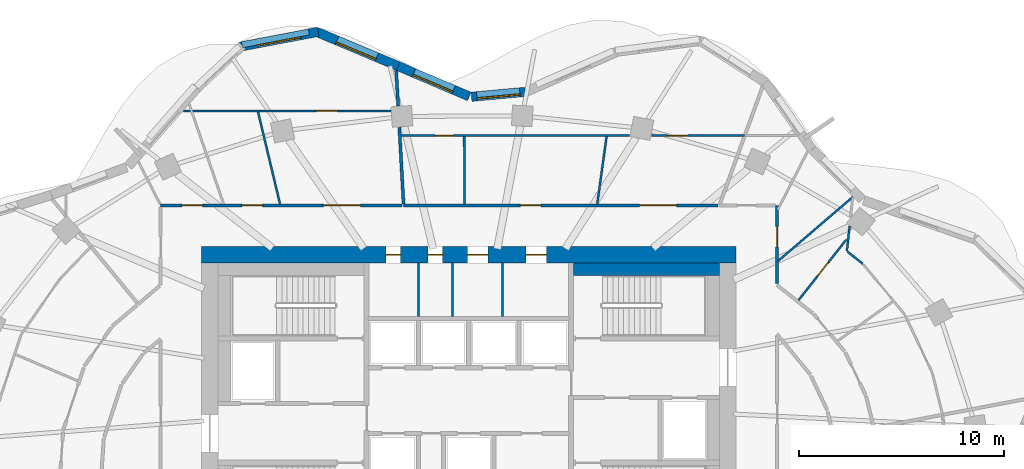
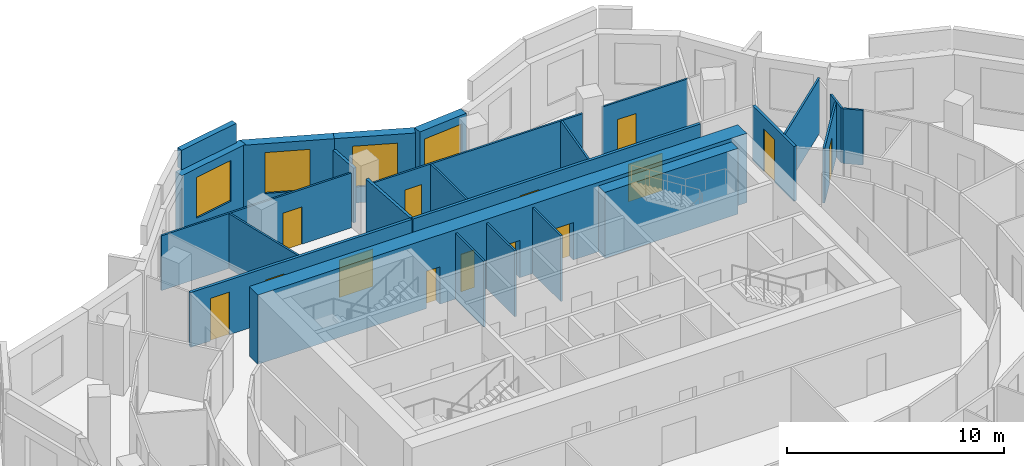
# One storey, part 9 of 11: 25 walls, 14 doors, 4 windows, 18 openings.
"""IFC4 building model written with IfcOpenShell, lengths in metres."""

from ifc_helpers import new_model, si_unit, direction, frame, frame_2d, origin, place, context, subcontext, project, spatial, rectangle, extrude, material, layer, layer_set, type_object, element, fill, save


model = new_model("IFC4")

# Units and contexts
model_context = context("Model", 3, precision=1e-05, world=origin(), true_north=direction((0.0, 1.0)))
body_context = subcontext(model_context, "Body", "Model", "MODEL_VIEW")
ifc_project = project(units=[si_unit("LENGTHUNIT", "METRE"), si_unit("AREAUNIT", "SQUARE_METRE"), si_unit("VOLUMEUNIT", "CUBIC_METRE"), si_unit("PLANEANGLEUNIT", "RADIAN"), si_unit("MASSUNIT", "GRAM", prefix="KILO")], contexts=[model_context])

# Site, building, storey
site_placement = place(None, origin())
site = spatial("IfcSite", under=ifc_project, at=site_placement, CompositionType="ELEMENT")
building_placement = place(site_placement, origin())
building = spatial("IfcBuilding", under=site, at=building_placement, Name="Rubra Terraces Tower", CompositionType="ELEMENT")
storey_placement = place(building_placement, frame((0.0, 0.0, 197.39990234375)))
storey = spatial("IfcBuildingStorey", under=building, at=storey_placement, Name="L48", CompositionType="ELEMENT", Elevation=197.39990234375)

# Wall, opening, window
ifc_material_1 = material(Name="Brick masonry red-brown", Category="masonry")
ifc_layer_1 = layer(ifc_material_1, 0.449951171875)
ifc_layer_set_1 = layer_set([ifc_layer_1], Name="Brick masonry red-brown")
wall_type_1 = type_object("IfcWallType", Name="Brick facade wall 450", PredefinedType="SOLIDWALL", material=ifc_layer_set_1)
wall_1_placement = place(storey_placement, frame((2.745361328125, 19.52490234375, 0.0), z_axis=(0.0, 0.0, 1.0), x_axis=(-0.995768774275, -0.091894222771, 0.0)))
wall_1 = element("IfcWall", 1, at=wall_1_placement, inside=storey, type_object=wall_type_1, Name="Facade wall L48 bay 10", PredefinedType="SOLIDWALL", context=body_context, shape_type="SweptSolid", body=[
    extrude(rectangle(XDim=2.624755859375, YDim=0.449951171875, at=frame_2d((1.3125, 0.0))), origin(), (0.0, 0.0, 1.0), 3.7001953125),
])
opening_1_placement = place(wall_1_placement, frame((0.262451171875, 0.0, 0.89990234375)))
opening_1 = element("IfcOpeningElement", 2, at=opening_1_placement, cuts=wall_1, Name="Opening W1B", PredefinedType="OPENING", context=body_context, shape_type="SweptSolid", body=[
    extrude(rectangle(XDim=2.10009765625, YDim=2.300048828125, at=frame_2d((1.050048828125, 1.14990234375))), frame((0.0, 0.23486328125, 0.0), z_axis=(0.0, -1.0, 0.0), x_axis=(1.0, 0.0, 0.0)), (0.0, 0.0, 1.0), 0.469970703125),
])
ifc_material_2 = material(Name="Clear glass in aluminium frame", Category="aluminium")
window_type = type_object("IfcWindowType", Name="Fixed deep-set window tall storey 2100 x 2300", PartitioningType="SINGLE_PANEL", PredefinedType="WINDOW", material=ifc_material_2)
window_1_placement = place(opening_1_placement, origin())
window_1 = element("IfcWindow", 3, at=window_1_placement, inside=storey, type_object=window_type, Name="Window L48 bay 10", OverallHeight=2.300048828125, OverallWidth=2.10009765625, PartitioningType="SINGLE_PANEL", PredefinedType="WINDOW", context=body_context, shape_type="SweptSolid", body=[
    extrude(rectangle(XDim=2.10009765625, YDim=2.300048828125, at=frame_2d((1.050048828125, 1.14990234375))), frame((0.0, 0.135009765625, 0.0), z_axis=(0.0, -1.0, 0.0), x_axis=(1.0, 0.0, 0.0)), (0.0, 0.0, 1.0), 0.06005859375),
])
fill(opening_1, window_1)

wall_2_placement = place(storey_placement, frame((0.0263671875, 19.29931640625, 0.0), z_axis=(0.0, 0.0, 1.0), x_axis=(-0.920040408927, 0.391823488245, 0.0)))
wall_2 = element("IfcWall", 4, at=wall_2_placement, inside=storey, type_object=wall_type_1, Name="Facade wall L48 bay 11", PredefinedType="SOLIDWALL", context=body_context, shape_type="SweptSolid", body=[
    extrude(rectangle(XDim=3.769775390625, YDim=0.449951171875, at=frame_2d((1.884765625, 0.0))), origin(), (0.0, 0.0, 1.0), 3.7001953125),
])
opening_2_placement = place(wall_2_placement, frame((0.8349609375, 0.0, 0.89990234375)))
opening_2 = element("IfcOpeningElement", 5, at=opening_2_placement, cuts=wall_2, Name="Opening W1B", PredefinedType="OPENING", context=body_context, shape_type="SweptSolid", body=[
    extrude(rectangle(XDim=2.10009765625, YDim=2.300048828125, at=frame_2d((1.050048828125, 1.14990234375))), frame((0.0, 0.23486328125, 0.0), z_axis=(0.0, -1.0, 0.0), x_axis=(1.0, 0.0, 0.0)), (0.0, 0.0, 1.0), 0.469970703125),
])
window_2_placement = place(opening_2_placement, origin())
window_2 = element("IfcWindow", 6, at=window_2_placement, inside=storey, type_object=window_type, Name="Window L48 bay 11", OverallHeight=2.300048828125, OverallWidth=2.10009765625, PartitioningType="SINGLE_PANEL", PredefinedType="WINDOW", context=body_context, shape_type="SweptSolid", body=[
    extrude(rectangle(XDim=2.10009765625, YDim=2.300048828125, at=frame_2d((1.050048828125, 1.14990234375))), frame((0.0, 0.135009765625, 0.0), z_axis=(0.0, -1.0, 0.0), x_axis=(1.0, 0.0, 0.0)), (0.0, 0.0, 1.0), 0.06005859375),
])
fill(opening_2, window_2)

wall_3_placement = place(storey_placement, frame((-3.44140625, 20.776123046875, 0.0), z_axis=(0.0, 0.0, 1.0), x_axis=(-0.921988121387, 0.387218160758, 0.0)))
wall_3 = element("IfcWall", 7, at=wall_3_placement, inside=storey, type_object=wall_type_1, Name="Facade wall L48 bay 12", PredefinedType="SOLIDWALL", context=body_context, shape_type="SweptSolid", body=[
    extrude(rectangle(XDim=4.3466796875, YDim=0.449951171875, at=frame_2d((2.17333984375, 0.0))), origin(), (0.0, 0.0, 1.0), 3.7001953125),
])
opening_3_placement = place(wall_3_placement, frame((1.123291015625, 0.0, 0.89990234375)))
opening_3 = element("IfcOpeningElement", 8, at=opening_3_placement, cuts=wall_3, Name="Opening W1B", PredefinedType="OPENING", context=body_context, shape_type="SweptSolid", body=[
    extrude(rectangle(XDim=2.10009765625, YDim=2.300048828125, at=frame_2d((1.050048828125, 1.14990234375))), frame((0.0, 0.23486328125, 0.0), z_axis=(0.0, -1.0, 0.0), x_axis=(1.0, 0.0, 0.0)), (0.0, 0.0, 1.0), 0.469970703125),
])
window_3_placement = place(opening_3_placement, origin())
window_3 = element("IfcWindow", 9, at=window_3_placement, inside=storey, type_object=window_type, Name="Window L48 bay 12", OverallHeight=2.300048828125, OverallWidth=2.10009765625, PartitioningType="SINGLE_PANEL", PredefinedType="WINDOW", context=body_context, shape_type="SweptSolid", body=[
    extrude(rectangle(XDim=2.10009765625, YDim=2.300048828125, at=frame_2d((1.050048828125, 1.14990234375))), frame((0.0, 0.135009765625, 0.0), z_axis=(0.0, -1.0, 0.0), x_axis=(1.0, 0.0, 0.0)), (0.0, 0.0, 1.0), 0.06005859375),
])
fill(opening_3, window_3)

wall_4_placement = place(storey_placement, frame((-7.322998046875, 22.447021484375, 0.0), z_axis=(0.0, 0.0, 1.0), x_axis=(-0.982420993638, -0.18667884524, 0.0)))
wall_4 = element("IfcWall", 10, at=wall_4_placement, inside=storey, type_object=wall_type_1, Name="Facade wall L48 bay 13", PredefinedType="SOLIDWALL", context=body_context, shape_type="SweptSolid", body=[
    extrude(rectangle(XDim=3.88427734375, YDim=0.449951171875, at=frame_2d((1.942138671875, 0.0))), origin(), (0.0, 0.0, 1.0), 3.7001953125),
])
opening_4_placement = place(wall_4_placement, frame((0.89208984375, 0.0, 0.89990234375)))
opening_4 = element("IfcOpeningElement", 11, at=opening_4_placement, cuts=wall_4, Name="Opening W1B", PredefinedType="OPENING", context=body_context, shape_type="SweptSolid", body=[
    extrude(rectangle(XDim=2.10009765625, YDim=2.300048828125, at=frame_2d((1.050048828125, 1.14990234375))), frame((0.0, 0.23486328125, 0.0), z_axis=(0.0, -1.0, 0.0), x_axis=(1.0, 0.0, 0.0)), (0.0, 0.0, 1.0), 0.469970703125),
])
window_4_placement = place(opening_4_placement, origin())
window_4 = element("IfcWindow", 12, at=window_4_placement, inside=storey, type_object=window_type, Name="Window L48 bay 13", OverallHeight=2.300048828125, OverallWidth=2.10009765625, PartitioningType="SINGLE_PANEL", PredefinedType="WINDOW", context=body_context, shape_type="SweptSolid", body=[
    extrude(rectangle(XDim=2.10009765625, YDim=2.300048828125, at=frame_2d((1.050048828125, 1.14990234375))), frame((0.0, 0.135009765625, 0.0), z_axis=(0.0, -1.0, 0.0), x_axis=(1.0, 0.0, 0.0)), (0.0, 0.0, 1.0), 0.06005859375),
])
fill(opening_4, window_4)

# Wall
ifc_layer_2 = layer(ifc_material_1, 0.300048828125)
ifc_layer_set_2 = layer_set([ifc_layer_2], Name="Brick masonry red-brown")
wall_type_2 = type_object("IfcWallType", Name="Brick parapet 300", PredefinedType="PARAPET", material=ifc_layer_set_2)
wall_5_placement = place(storey_placement, frame((-7.777587890625, 22.43701171875, 3.900146484375), z_axis=(0.0, 0.0, 1.0), x_axis=(-0.98241446716, -0.186713188382, 0.0)))
element("IfcWall", 13, at=wall_5_placement, inside=storey, type_object=wall_type_2, Name="Parapet L48 bay 13", PredefinedType="PARAPET", context=body_context, shape_type="SweptSolid", body=[
    extrude(rectangle(XDim=3.318603515625, YDim=0.300048828125, at=frame_2d((1.6591796875, 0.0))), origin(), (0.0, 0.0, 1.0), 1.099853515625),
])

# Wall, openings, doors
ifc_material_3 = material(Name="Concrete C50", Category="concrete")
ifc_layer_3 = layer(ifc_material_3, 0.800048828125)
ifc_layer_set_3 = layer_set([ifc_layer_3], Name="Concrete C50")
wall_type_3 = type_object("IfcWallType", Name="CORE WALL 800 C50", PredefinedType="SHEAR", material=ifc_layer_set_3)
wall_6_placement = place(storey_placement, frame((-13.0, 11.60009765625, 0.0), z_axis=(0.0, 0.0, 1.0), x_axis=(1.0, 0.0, 0.0)))
wall_6 = element("IfcWall", 14, at=wall_6_placement, inside=storey, type_object=wall_type_3, Name="CORE WALL N L48", PredefinedType="SHEAR", context=body_context, shape_type="SweptSolid", body=[
    extrude(rectangle(XDim=26.0, YDim=0.800048828125, at=frame_2d((13.0, 0.0))), origin(), (0.0, 0.0, 1.0), 3.900146484375),
])
opening_5_placement = place(wall_6_placement, frame((8.97509765625, 0.0, 0.0)))
opening_5 = element("IfcOpeningElement", 15, at=opening_5_placement, cuts=wall_6, Name="Opening L48.C25", PredefinedType="OPENING", context=body_context, shape_type="SweptSolid", body=[
    extrude(rectangle(XDim=0.699951171875, YDim=2.10009765625, at=frame_2d((0.35009765625, 1.050048828125))), frame((0.0, 0.409912109375, 0.0), z_axis=(0.0, -1.0, 0.0), x_axis=(1.0, 0.0, 0.0)), (0.0, 0.0, 1.0), 0.820068359375),
])
opening_6_placement = place(wall_6_placement, frame((11.02490234375, 0.0, 0.0)))
opening_6 = element("IfcOpeningElement", 16, at=opening_6_placement, cuts=wall_6, Name="Opening L48.C26", PredefinedType="OPENING", context=body_context, shape_type="SweptSolid", body=[
    extrude(rectangle(XDim=0.699951171875, YDim=2.10009765625, at=frame_2d((0.35009765625, 1.050048828125))), frame((0.0, 0.409912109375, 0.0), z_axis=(0.0, -1.0, 0.0), x_axis=(1.0, 0.0, 0.0)), (0.0, 0.0, 1.0), 0.820068359375),
])
opening_7_placement = place(wall_6_placement, frame((12.925048828125, 0.0, 0.0)))
opening_7 = element("IfcOpeningElement", 17, at=opening_7_placement, cuts=wall_6, Name="Opening L48.C27", PredefinedType="OPENING", context=body_context, shape_type="SweptSolid", body=[
    extrude(rectangle(XDim=1.0, YDim=2.10009765625, at=frame_2d((0.5, 1.050048828125))), frame((0.0, 0.409912109375, 0.0), z_axis=(0.0, -1.0, 0.0), x_axis=(1.0, 0.0, 0.0)), (0.0, 0.0, 1.0), 0.820068359375),
])
opening_8_placement = place(wall_6_placement, frame((15.77490234375, 0.0, 0.0)))
opening_8 = element("IfcOpeningElement", 18, at=opening_8_placement, cuts=wall_6, Name="Opening L48.C28", PredefinedType="OPENING", context=body_context, shape_type="SweptSolid", body=[
    extrude(rectangle(XDim=1.0, YDim=2.10009765625, at=frame_2d((0.5, 1.050048828125))), frame((0.0, 0.409912109375, 0.0), z_axis=(0.0, -1.0, 0.0), x_axis=(1.0, 0.0, 0.0)), (0.0, 0.0, 1.0), 0.820068359375),
])
ifc_material_4 = material(Name="Painted steel", Category="steel")
door_type_1 = type_object("IfcDoorType", Name="Fire door 1000x2100 single", OperationType="NOTDEFINED", PredefinedType="DOOR", material=ifc_material_4)
door_1_placement = place(opening_7_placement, origin())
door_1 = element("IfcDoor", 19, at=door_1_placement, inside=storey, type_object=door_type_1, Name="Guest pantry door", OperationType="SINGLE_SWING_LEFT", OverallHeight=2.10009765625, OverallWidth=1.0, PredefinedType="DOOR", context=body_context, shape_type="SweptSolid", body=[
    extrude(rectangle(XDim=1.0, YDim=2.10009765625, at=frame_2d((0.5, 1.050048828125))), frame((0.0, 0.02490234375, 0.0), z_axis=(0.0, -1.0, 0.0), x_axis=(1.0, 0.0, 0.0)), (0.0, 0.0, 1.0), 0.050048828125),
])
fill(opening_7, door_1)
door_2_placement = place(opening_8_placement, origin())
door_2 = element("IfcDoor", 20, at=door_2_placement, inside=storey, type_object=door_type_1, Name="Security and building control room door", OperationType="SINGLE_SWING_RIGHT", OverallHeight=2.10009765625, OverallWidth=1.0, PredefinedType="DOOR", context=body_context, shape_type="SweptSolid", body=[
    extrude(rectangle(XDim=1.0, YDim=2.10009765625, at=frame_2d((0.5, 1.050048828125))), frame((0.0, 0.02490234375, 0.0), z_axis=(0.0, -1.0, 0.0), x_axis=(1.0, 0.0, 0.0)), (0.0, 0.0, 1.0), 0.050048828125),
])
fill(opening_8, door_2)
door_type_2 = type_object("IfcDoorType", Name="Riser access door 700x2100 single", OperationType="NOTDEFINED", PredefinedType="DOOR", material=ifc_material_4)
door_3_placement = place(opening_5_placement, origin())
door_3 = element("IfcDoor", 21, at=door_3_placement, inside=storey, type_object=door_type_2, Name="Electrical riser room door", OperationType="SINGLE_SWING_LEFT", OverallHeight=2.10009765625, OverallWidth=0.699951171875, PredefinedType="DOOR", context=body_context, shape_type="SweptSolid", body=[
    extrude(rectangle(XDim=0.699951171875, YDim=2.10009765625, at=frame_2d((0.35009765625, 1.050048828125))), frame((0.0, 0.02490234375, 0.0), z_axis=(0.0, -1.0, 0.0), x_axis=(1.0, 0.0, 0.0)), (0.0, 0.0, 1.0), 0.050048828125),
])
fill(opening_5, door_3)
door_4_placement = place(opening_6_placement, origin())
door_4 = element("IfcDoor", 22, at=door_4_placement, inside=storey, type_object=door_type_2, Name="Water and drainage riser door", OperationType="SINGLE_SWING_RIGHT", OverallHeight=2.10009765625, OverallWidth=0.699951171875, PredefinedType="DOOR", context=body_context, shape_type="SweptSolid", body=[
    extrude(rectangle(XDim=0.699951171875, YDim=2.10009765625, at=frame_2d((0.35009765625, 1.050048828125))), frame((0.0, 0.02490234375, 0.0), z_axis=(0.0, -1.0, 0.0), x_axis=(1.0, 0.0, 0.0)), (0.0, 0.0, 1.0), 0.050048828125),
])
fill(opening_6, door_4)

# Wall, opening, door
ifc_material_5 = material(Name="Plasterboard on steel stud, mineral wool infill", Category="steel")
ifc_layer_4 = layer(ifc_material_5, 0.14990234375)
ifc_layer_set_4 = layer_set([ifc_layer_4], Name="Plasterboard on steel stud, mineral wool infill")
wall_type_4 = type_object("IfcWallType", Name="CORRIDOR PARTITION 150", PredefinedType="PARTITIONING", material=ifc_layer_set_4)
wall_7_placement = place(storey_placement, frame((15.0, 10.1962890625, 0.0), z_axis=(0.0, 0.0, 1.0), x_axis=(0.0, 1.0, 0.0)))
wall_7 = element("IfcWall", 23, at=wall_7_placement, inside=storey, type_object=wall_type_4, Name="PARTITION", PredefinedType="PARTITIONING", context=body_context, shape_type="SweptSolid", body=[
    extrude(rectangle(XDim=3.8037109375, YDim=0.14990234375, at=frame_2d((1.90185546875, 0.0))), origin(), (0.0, 0.0, 1.0), 3.083984375),
])
opening_9_placement = place(wall_7_placement, frame((1.781005859375, 0.0, 0.0)))
opening_9 = element("IfcOpeningElement", 24, at=opening_9_placement, cuts=wall_7, Name="Opening 48-103", PredefinedType="OPENING", context=body_context, shape_type="SweptSolid", body=[
    extrude(rectangle(XDim=1.0, YDim=2.39990234375, at=frame_2d((0.5, 1.199951171875))), frame((0.0, 0.0849609375, 0.0), z_axis=(0.0, -1.0, 0.0), x_axis=(1.0, 0.0, 0.0)), (0.0, 0.0, 1.0), 0.169921875),
])
ifc_material_6 = material(Name="Glazed aluminium meeting door leaf", Category="aluminium")
door_type_3 = type_object("IfcDoorType", Name="MEETING ROOM GLAZED DOOR 1000 X 2400", OperationType="SINGLE_SWING_LEFT", PredefinedType="DOOR", material=ifc_material_6)
door_5_placement = place(opening_9_placement, origin())
door_5 = element("IfcDoor", 25, at=door_5_placement, inside=storey, type_object=door_type_3, Name="DOOR 48-103", OperationType="SINGLE_SWING_RIGHT", OverallHeight=2.39990234375, OverallWidth=1.0, PredefinedType="DOOR", context=body_context, shape_type="SweptSolid", body=[
    extrude(rectangle(XDim=1.0, YDim=2.39990234375, at=frame_2d((0.5, 1.199951171875))), frame((0.0, 0.02490234375, 0.0), z_axis=(0.0, -1.0, 0.0), x_axis=(1.0, 0.0, 0.0)), (0.0, 0.0, 1.0), 0.050048828125),
])
fill(opening_9, door_5)

# Wall, openings, doors
wall_8_placement = place(storey_placement, frame((12.1171875, 14.0, 0.0), z_axis=(0.0, 0.0, 1.0), x_axis=(-1.0, 0.0, 0.0)))
wall_8 = element("IfcWall", 26, at=wall_8_placement, inside=storey, type_object=wall_type_4, Name="PARTITION", PredefinedType="PARTITIONING", context=body_context, shape_type="SweptSolid", body=[
    extrude(rectangle(XDim=15.28857421875, YDim=0.14990234375, at=frame_2d((7.644287109375, 0.0))), origin(), (0.0, 0.0, 1.0), 3.083984375),
])
opening_10_placement = place(wall_8_placement, frame((2.0, 0.0, 0.0)))
opening_10 = element("IfcOpeningElement", 27, at=opening_10_placement, cuts=wall_8, Name="Opening 48-104", PredefinedType="OPENING", context=body_context, shape_type="SweptSolid", body=[
    extrude(rectangle(XDim=1.800048828125, YDim=2.10009765625, at=frame_2d((0.89990234375, 1.050048828125))), frame((0.0, 0.0849609375, 0.0), z_axis=(0.0, -1.0, 0.0), x_axis=(1.0, 0.0, 0.0)), (0.0, 0.0, 1.0), 0.169921875),
])
opening_11_placement = place(wall_8_placement, frame((8.60302734375, 0.0, 0.0)))
opening_11 = element("IfcOpeningElement", 28, at=opening_11_placement, cuts=wall_8, Name="Opening 48-106", PredefinedType="OPENING", context=body_context, shape_type="SweptSolid", body=[
    extrude(rectangle(XDim=1.0, YDim=2.39990234375, at=frame_2d((0.5, 1.199951171875))), frame((0.0, 0.0849609375, 0.0), z_axis=(0.0, -1.0, 0.0), x_axis=(1.0, 0.0, 0.0)), (0.0, 0.0, 1.0), 0.169921875),
])
door_6_placement = place(opening_11_placement, origin())
door_6 = element("IfcDoor", 29, at=door_6_placement, inside=storey, type_object=door_type_3, Name="DOOR 48-106", OperationType="SINGLE_SWING_RIGHT", OverallHeight=2.39990234375, OverallWidth=1.0, PredefinedType="DOOR", context=body_context, shape_type="SweptSolid", body=[
    extrude(rectangle(XDim=1.0, YDim=2.39990234375, at=frame_2d((0.5, 1.199951171875))), frame((0.0, 0.02490234375, 0.0), z_axis=(0.0, -1.0, 0.0), x_axis=(1.0, 0.0, 0.0)), (0.0, 0.0, 1.0), 0.050048828125),
])
fill(opening_11, door_6)
ifc_material_7 = material(Name="Painted timber door leaf, double", Category="wood")
door_type_4 = type_object("IfcDoorType", Name="ROOM DOUBLE DOOR 1800 X 2100", OperationType="DOUBLE_DOOR_SINGLE_SWING", PredefinedType="DOOR", material=ifc_material_7)
door_7_placement = place(opening_10_placement, origin())
door_7 = element("IfcDoor", 30, at=door_7_placement, inside=storey, type_object=door_type_4, Name="DOOR 48-104", OperationType="DOUBLE_DOOR_SINGLE_SWING", OverallHeight=2.10009765625, OverallWidth=1.800048828125, PredefinedType="DOOR", context=body_context, shape_type="SweptSolid", body=[
    extrude(rectangle(XDim=1.800048828125, YDim=2.10009765625, at=frame_2d((0.89990234375, 1.050048828125))), frame((0.0, 0.02490234375, 0.0), z_axis=(0.0, -1.0, 0.0), x_axis=(1.0, 0.0, 0.0)), (0.0, 0.0, 1.0), 0.050048828125),
])
fill(opening_10, door_7)

wall_9_placement = place(storey_placement, frame((-3.246337890625, 14.0, 0.0), z_axis=(0.0, 0.0, 1.0), x_axis=(-1.0, 0.0, 0.0)))
wall_9 = element("IfcWall", 31, at=wall_9_placement, inside=storey, type_object=wall_type_4, Name="PARTITION", PredefinedType="PARTITIONING", context=body_context, shape_type="SweptSolid", body=[
    extrude(rectangle(XDim=11.753662109375, YDim=0.14990234375, at=frame_2d((5.876953125, 0.0))), origin(), (0.0, 0.0, 1.0), 3.083984375),
])
opening_12_placement = place(wall_9_placement, frame((2.02490234375, 0.0, 0.0)))
opening_12 = element("IfcOpeningElement", 32, at=opening_12_placement, cuts=wall_9, Name="Opening 48-108", PredefinedType="OPENING", context=body_context, shape_type="SweptSolid", body=[
    extrude(rectangle(XDim=1.800048828125, YDim=2.10009765625, at=frame_2d((0.89990234375, 1.050048828125))), frame((0.0, 0.0849609375, 0.0), z_axis=(0.0, -1.0, 0.0), x_axis=(1.0, 0.0, 0.0)), (0.0, 0.0, 1.0), 0.169921875),
])
opening_13_placement = place(wall_9_placement, frame((6.7919921875, 0.0, 0.0)))
opening_13 = element("IfcOpeningElement", 33, at=opening_13_placement, cuts=wall_9, Name="Opening 48-110", PredefinedType="OPENING", context=body_context, shape_type="SweptSolid", body=[
    extrude(rectangle(XDim=1.0, YDim=2.39990234375, at=frame_2d((0.5, 1.199951171875))), frame((0.0, 0.0849609375, 0.0), z_axis=(0.0, -1.0, 0.0), x_axis=(1.0, 0.0, 0.0)), (0.0, 0.0, 1.0), 0.169921875),
])
opening_14_placement = place(wall_9_placement, frame((9.701904296875, 0.0, 0.0)))
opening_14 = element("IfcOpeningElement", 34, at=opening_14_placement, cuts=wall_9, Name="Opening 48-111", PredefinedType="OPENING", context=body_context, shape_type="SweptSolid", body=[
    extrude(rectangle(XDim=1.0, YDim=2.39990234375, at=frame_2d((0.5, 1.199951171875))), frame((0.0, 0.0849609375, 0.0), z_axis=(0.0, -1.0, 0.0), x_axis=(1.0, 0.0, 0.0)), (0.0, 0.0, 1.0), 0.169921875),
])
door_8_placement = place(opening_13_placement, origin())
door_8 = element("IfcDoor", 35, at=door_8_placement, inside=storey, type_object=door_type_3, Name="DOOR 48-110", OperationType="SINGLE_SWING_RIGHT", OverallHeight=2.39990234375, OverallWidth=1.0, PredefinedType="DOOR", context=body_context, shape_type="SweptSolid", body=[
    extrude(rectangle(XDim=1.0, YDim=2.39990234375, at=frame_2d((0.5, 1.199951171875))), frame((0.0, 0.02490234375, 0.0), z_axis=(0.0, -1.0, 0.0), x_axis=(1.0, 0.0, 0.0)), (0.0, 0.0, 1.0), 0.050048828125),
])
fill(opening_13, door_8)
door_9_placement = place(opening_14_placement, origin())
door_9 = element("IfcDoor", 36, at=door_9_placement, inside=storey, type_object=door_type_3, Name="DOOR 48-111", OperationType="SINGLE_SWING_RIGHT", OverallHeight=2.39990234375, OverallWidth=1.0, PredefinedType="DOOR", context=body_context, shape_type="SweptSolid", body=[
    extrude(rectangle(XDim=1.0, YDim=2.39990234375, at=frame_2d((0.5, 1.199951171875))), frame((0.0, 0.02490234375, 0.0), z_axis=(0.0, -1.0, 0.0), x_axis=(1.0, 0.0, 0.0)), (0.0, 0.0, 1.0), 0.050048828125),
])
fill(opening_14, door_9)
door_10_placement = place(opening_12_placement, origin())
door_10 = element("IfcDoor", 37, at=door_10_placement, inside=storey, type_object=door_type_4, Name="DOOR 48-108", OperationType="DOUBLE_DOOR_SINGLE_SWING", OverallHeight=2.10009765625, OverallWidth=1.800048828125, PredefinedType="DOOR", context=body_context, shape_type="SweptSolid", body=[
    extrude(rectangle(XDim=1.800048828125, YDim=2.10009765625, at=frame_2d((0.89990234375, 1.050048828125))), frame((0.0, 0.02490234375, 0.0), z_axis=(0.0, -1.0, 0.0), x_axis=(1.0, 0.0, 0.0)), (0.0, 0.0, 1.0), 0.050048828125),
])
fill(opening_12, door_10)

# Walls
ifc_material_8 = material(Name="Concrete C40", Category="concrete")
ifc_layer_5 = layer(ifc_material_8, 0.60009765625)
ifc_layer_set_5 = layer_set([ifc_layer_5], Name="Concrete C40")
wall_type_5 = type_object("IfcWallType", Name="Core lining wall 600 concrete", PredefinedType="SOLIDWALL", material=ifc_layer_set_5)
wall_10_placement = place(storey_placement, frame((12.199951171875, 10.89990234375, 0.0), z_axis=(0.0, 0.0, 1.0), x_axis=(-1.0, 0.0, 0.0)))
element("IfcWall", 38, at=wall_10_placement, inside=storey, type_object=wall_type_5, Name="CORE LINING WALL L48", PredefinedType="SOLIDWALL", context=body_context, shape_type="SweptSolid", body=[
    extrude(rectangle(XDim=7.099853515625, YDim=0.60009765625, at=frame_2d((3.5498046875, 0.0))), origin(), (0.0, 0.0, 1.0), 3.7001953125),
])
ifc_material_9 = material(Name="Plasterboard on steel stud", Category="steel")
ifc_layer_6 = layer(ifc_material_9, 0.10009765625)
ifc_layer_set_6 = layer_set([ifc_layer_6], Name="Plasterboard on steel stud")
wall_type_6 = type_object("IfcWallType", Name="ROOM PARTITION 100", PredefinedType="PARTITIONING", material=ifc_layer_set_6)
wall_11_placement = place(storey_placement, frame((18.531005859375, 12.999267578125, 0.0), z_axis=(0.0, 0.0, 1.0), x_axis=(-0.106031141527, -0.994362809555, 0.0)))
element("IfcWall", 39, at=wall_11_placement, inside=storey, type_object=wall_type_6, Name="PARTITION", PredefinedType="PARTITIONING", context=body_context, shape_type="SweptSolid", body=[
    extrude(rectangle(XDim=1.236572265625, YDim=0.10009765625, at=frame_2d((0.6181640625, 0.0))), origin(), (0.0, 0.0, 1.0), 3.083984375),
])
wall_12_placement = place(storey_placement, frame((18.439208984375, 11.73876953125, 0.0), z_axis=(0.0, 0.0, 1.0), x_axis=(0.784976275707, -0.619525823979, 0.0)))
element("IfcWall", 40, at=wall_12_placement, inside=storey, type_object=wall_type_6, Name="PARTITION", PredefinedType="PARTITIONING", context=body_context, shape_type="SweptSolid", body=[
    extrude(rectangle(XDim=0.935546875, YDim=0.10009765625, at=frame_2d((0.4677734375, 0.0))), origin(), (0.0, 0.0, 1.0), 3.083984375),
])

# Wall, opening, door
wall_13_placement = place(storey_placement, frame((16.04931640625, 9.38916015625, 0.0), z_axis=(0.0, 0.0, 1.0), x_axis=(0.619061036151, 0.785342876405, 0.0)))
wall_13 = element("IfcWall", 41, at=wall_13_placement, inside=storey, type_object=wall_type_6, Name="PARTITION", PredefinedType="PARTITIONING", context=body_context, shape_type="SweptSolid", body=[
    extrude(rectangle(XDim=3.746826171875, YDim=0.10009765625, at=frame_2d((1.87353515625, 0.0))), origin(), (0.0, 0.0, 1.0), 3.083984375),
])
opening_15_placement = place(wall_13_placement, frame((1.449951171875, 0.0, 0.0)))
opening_15 = element("IfcOpeningElement", 42, at=opening_15_placement, cuts=wall_13, Name="Opening 48-140", PredefinedType="OPENING", context=body_context, shape_type="SweptSolid", body=[
    extrude(rectangle(XDim=0.89990234375, YDim=2.10009765625, at=frame_2d((0.449951171875, 1.050048828125))), frame((0.0, 0.06005859375, 0.0), z_axis=(0.0, -1.0, 0.0), x_axis=(1.0, 0.0, 0.0)), (0.0, 0.0, 1.0), 0.1201171875),
])
ifc_material_10 = material(Name="Painted timber door leaf", Category="wood")
door_type_5 = type_object("IfcDoorType", Name="BATHROOM DOOR 900 X 2100", OperationType="SINGLE_SWING_LEFT", PredefinedType="DOOR", material=ifc_material_10)
door_11_placement = place(opening_15_placement, origin())
door_11 = element("IfcDoor", 43, at=door_11_placement, inside=storey, type_object=door_type_5, Name="DOOR 48-140", OperationType="SINGLE_SWING_LEFT", OverallHeight=2.10009765625, OverallWidth=0.89990234375, PredefinedType="DOOR", context=body_context, shape_type="SweptSolid", body=[
    extrude(rectangle(XDim=0.89990234375, YDim=2.10009765625, at=frame_2d((0.449951171875, 1.050048828125))), frame((0.0, 0.02490234375, 0.0), z_axis=(0.0, -1.0, 0.0), x_axis=(1.0, 0.0, 0.0)), (0.0, 0.0, 1.0), 0.050048828125),
])
fill(opening_15, door_11)

# Wall
wall_14_placement = place(storey_placement, frame((15.049072265625, 11.292236328125, 0.0), z_axis=(0.0, 0.0, 1.0), x_axis=(0.759202764933, 0.650854178536, 0.0)))
element("IfcWall", 44, at=wall_14_placement, inside=storey, type_object=wall_type_6, Name="PARTITION", PredefinedType="PARTITIONING", context=body_context, shape_type="SweptSolid", body=[
    extrude(rectangle(XDim=4.8017578125, YDim=0.10009765625, at=frame_2d((2.40087890625, 0.0))), origin(), (0.0, 0.0, 1.0), 3.083984375),
])

# Wall, opening, door
wall_15_placement = place(storey_placement, frame((-3.338134765625, 17.39990234375, 0.0), z_axis=(0.0, 0.0, 1.0), x_axis=(1.0, 0.0, 0.0)))
wall_15 = element("IfcWall", 45, at=wall_15_placement, inside=storey, type_object=wall_type_6, Name="PARTITION", PredefinedType="PARTITIONING", context=body_context, shape_type="SweptSolid", body=[
    extrude(rectangle(XDim=11.16259765625, YDim=0.10009765625, at=frame_2d((5.581298828125, 0.0))), origin(), (0.0, 0.0, 1.0), 3.083984375),
])
opening_16_placement = place(wall_15_placement, frame((1.699951171875, 0.0, 0.0)))
opening_16 = element("IfcOpeningElement", 46, at=opening_16_placement, cuts=wall_15, Name="Opening 48-107", PredefinedType="OPENING", context=body_context, shape_type="SweptSolid", body=[
    extrude(rectangle(XDim=0.89990234375, YDim=2.10009765625, at=frame_2d((0.449951171875, 1.050048828125))), frame((0.0, 0.06005859375, 0.0), z_axis=(0.0, -1.0, 0.0), x_axis=(1.0, 0.0, 0.0)), (0.0, 0.0, 1.0), 0.1201171875),
])
door_type_6 = type_object("IfcDoorType", Name="ROOM DOOR 900 X 2100", OperationType="SINGLE_SWING_LEFT", PredefinedType="DOOR", material=ifc_material_10)
door_12_placement = place(opening_16_placement, origin())
door_12 = element("IfcDoor", 47, at=door_12_placement, inside=storey, type_object=door_type_6, Name="DOOR 48-107", OperationType="SINGLE_SWING_LEFT", OverallHeight=2.10009765625, OverallWidth=0.89990234375, PredefinedType="DOOR", context=body_context, shape_type="SweptSolid", body=[
    extrude(rectangle(XDim=0.89990234375, YDim=2.10009765625, at=frame_2d((0.449951171875, 1.050048828125))), frame((0.0, 0.02490234375, 0.0), z_axis=(0.0, -1.0, 0.0), x_axis=(1.0, 0.0, 0.0)), (0.0, 0.0, 1.0), 0.050048828125),
])
fill(opening_16, door_12)

wall_16_placement = place(storey_placement, frame((8.8837890625, 17.39990234375, 0.0), z_axis=(0.0, 0.0, 1.0), x_axis=(1.0, 0.0, 0.0)))
wall_16 = element("IfcWall", 48, at=wall_16_placement, inside=storey, type_object=wall_type_6, Name="PARTITION", PredefinedType="PARTITIONING", context=body_context, shape_type="SweptSolid", body=[
    extrude(rectangle(XDim=4.525390625, YDim=0.10009765625, at=frame_2d((2.2626953125, 0.0))), origin(), (0.0, 0.0, 1.0), 3.083984375),
])
opening_17_placement = place(wall_16_placement, frame((0.781982421875, 0.0, 0.0)))
opening_17 = element("IfcOpeningElement", 49, at=opening_17_placement, cuts=wall_16, Name="Opening 48-105", PredefinedType="OPENING", context=body_context, shape_type="SweptSolid", body=[
    extrude(rectangle(XDim=1.0, YDim=2.10009765625, at=frame_2d((0.5, 1.050048828125))), frame((0.0, 0.06005859375, 0.0), z_axis=(0.0, -1.0, 0.0), x_axis=(1.0, 0.0, 0.0)), (0.0, 0.0, 1.0), 0.1201171875),
])
door_type_7 = type_object("IfcDoorType", Name="ROOM DOOR 1000 X 2100", OperationType="SINGLE_SWING_LEFT", PredefinedType="DOOR", material=ifc_material_10)
door_13_placement = place(opening_17_placement, origin())
door_13 = element("IfcDoor", 50, at=door_13_placement, inside=storey, type_object=door_type_7, Name="DOOR 48-105", OperationType="SINGLE_SWING_LEFT", OverallHeight=2.10009765625, OverallWidth=1.0, PredefinedType="DOOR", context=body_context, shape_type="SweptSolid", body=[
    extrude(rectangle(XDim=1.0, YDim=2.10009765625, at=frame_2d((0.5, 1.050048828125))), frame((0.0, 0.02490234375, 0.0), z_axis=(0.0, -1.0, 0.0), x_axis=(1.0, 0.0, 0.0)), (0.0, 0.0, 1.0), 0.050048828125),
])
fill(opening_17, door_13)

# Walls
wall_17_placement = place(storey_placement, frame((6.251953125, 14.07421875, 0.0), z_axis=(0.0, 0.0, 1.0), x_axis=(0.136997065373, 0.990571453293, 0.0)))
element("IfcWall", 51, at=wall_17_placement, inside=storey, type_object=wall_type_6, Name="PARTITION", PredefinedType="PARTITIONING", context=body_context, shape_type="SweptSolid", body=[
    extrude(rectangle(XDim=3.3076171875, YDim=0.10009765625, at=frame_2d((1.65380859375, 0.0))), origin(), (0.0, 0.0, 1.0), 3.083984375),
])
wall_18_placement = place(storey_placement, frame((-0.213134765625, 14.074951171875, 0.0), z_axis=(0.0, 0.0, 1.0), x_axis=(-0.002534468192, 0.99999678823, 0.0)))
element("IfcWall", 52, at=wall_18_placement, inside=storey, type_object=wall_type_6, Name="PARTITION", PredefinedType="PARTITIONING", context=body_context, shape_type="SweptSolid", body=[
    extrude(rectangle(XDim=3.275146484375, YDim=0.10009765625, at=frame_2d((1.6376953125, 0.0))), origin(), (0.0, 0.0, 1.0), 3.083984375),
])

# Wall, opening, door
wall_19_placement = place(storey_placement, frame((-13.879638671875, 18.60009765625, 0.0), z_axis=(0.0, 0.0, 1.0), x_axis=(1.0, 0.0, 0.0)))
wall_19 = element("IfcWall", 53, at=wall_19_placement, inside=storey, type_object=wall_type_6, Name="PARTITION", PredefinedType="PARTITIONING", context=body_context, shape_type="SweptSolid", body=[
    extrude(rectangle(XDim=10.087646484375, YDim=0.10009765625, at=frame_2d((5.0439453125, 0.0))), origin(), (0.0, 0.0, 1.0), 3.083984375),
])
opening_18_placement = place(wall_19_placement, frame((6.4580078125, 0.0, 0.0)))
opening_18 = element("IfcOpeningElement", 54, at=opening_18_placement, cuts=wall_19, Name="Opening 48-109", PredefinedType="OPENING", context=body_context, shape_type="SweptSolid", body=[
    extrude(rectangle(XDim=1.0, YDim=2.10009765625, at=frame_2d((0.5, 1.050048828125))), frame((0.0, 0.06005859375, 0.0), z_axis=(0.0, -1.0, 0.0), x_axis=(1.0, 0.0, 0.0)), (0.0, 0.0, 1.0), 0.1201171875),
])
door_14_placement = place(opening_18_placement, origin())
door_14 = element("IfcDoor", 55, at=door_14_placement, inside=storey, type_object=door_type_7, Name="DOOR 48-109", OperationType="SINGLE_SWING_LEFT", OverallHeight=2.10009765625, OverallWidth=1.0, PredefinedType="DOOR", context=body_context, shape_type="SweptSolid", body=[
    extrude(rectangle(XDim=1.0, YDim=2.10009765625, at=frame_2d((0.5, 1.050048828125))), frame((0.0, 0.02490234375, 0.0), z_axis=(0.0, -1.0, 0.0), x_axis=(1.0, 0.0, 0.0)), (0.0, 0.0, 1.0), 0.050048828125),
])
fill(opening_18, door_14)

# Walls
wall_20_placement = place(storey_placement, frame((-9.188232421875, 14.072998046875, 0.0), z_axis=(0.0, 0.0, 1.0), x_axis=(-0.23234206236, 0.972634137823, 0.0)))
element("IfcWall", 56, at=wall_20_placement, inside=storey, type_object=wall_type_6, Name="PARTITION", PredefinedType="PARTITIONING", context=body_context, shape_type="SweptSolid", body=[
    extrude(rectangle(XDim=4.6044921875, YDim=0.10009765625, at=frame_2d((2.30224609375, 0.0))), origin(), (0.0, 0.0, 1.0), 3.083984375),
])
ifc_layer_7 = layer(ifc_material_9, 0.14990234375)
ifc_layer_set_7 = layer_set([ifc_layer_7], Name="Plasterboard on steel stud")
wall_type_7 = type_object("IfcWallType", Name="ROOM PARTITION 150", PredefinedType="PARTITIONING", material=ifc_layer_set_7)
wall_21_placement = place(storey_placement, frame((-3.5322265625, 20.56591796875, 0.0), z_axis=(0.0, 0.0, 1.0), x_axis=(0.054930375168, -0.998490187175, 0.0)))
element("IfcWall", 57, at=wall_21_placement, inside=storey, type_object=wall_type_7, Name="PARTITION", PredefinedType="PARTITIONING", context=body_context, shape_type="SweptSolid", body=[
    extrude(rectangle(XDim=1.72900390625, YDim=0.14990234375, at=frame_2d((0.864501953125, 0.0))), origin(), (0.0, 0.0, 1.0), 3.083984375),
])
wall_22_placement = place(storey_placement, frame((-3.38037109375, 17.801025390625, 0.0), z_axis=(0.0, 0.0, 1.0), x_axis=(0.054890258028, -0.998492393348, 0.0)))
element("IfcWall", 58, at=wall_22_placement, inside=storey, type_object=wall_type_7, Name="PARTITION", PredefinedType="PARTITIONING", context=body_context, shape_type="SweptSolid", body=[
    extrude(rectangle(XDim=3.731689453125, YDim=0.14990234375, at=frame_2d((1.86572265625, 0.0))), origin(), (0.0, 0.0, 1.0), 3.083984375),
])
ifc_material_11 = material(Name="Blockwork", Category="masonry")
ifc_layer_8 = layer(ifc_material_11, 0.10009765625)
ifc_layer_set_8 = layer_set([ifc_layer_8], Name="Blockwork")
wall_type_8 = type_object("IfcWallType", Name="Service partition 100 blockwork", PredefinedType="PARTITIONING", material=ifc_layer_set_8)
for number, where, z_axis, x_axis, name in (
    (59, (-2.449951171875, 8.60009765625, 0.0), (0.0, 0.0, 1.0), (0.0, 1.0, 0.0), "SERVICE ROOM PARTITION L48"),
    (60, (-0.800048828125, 8.60009765625, 0.0), (0.0, 0.0, 1.0), (0.0, 1.0, 0.0), "SERVICE ROOM PARTITION L48"),
    (61, (1.64990234375, 8.60009765625, 0.0), (0.0, 0.0, 1.0), (0.0, 1.0, 0.0), "SERVICE ROOM PARTITION L48"),
):
    element("IfcWall", number, at=place(storey_placement, frame(where, z_axis=z_axis, x_axis=x_axis)), inside=storey, type_object=wall_type_8, Name=name, PredefinedType="PARTITIONING", context=body_context, shape_type="SweptSolid", body=[
        extrude(rectangle(XDim=2.599853515625, YDim=0.10009765625, at=frame_2d((1.2998046875, 0.0))), origin(), (0.0, 0.0, 1.0), 3.7001953125),
    ])

save(model, "model.ifc")
